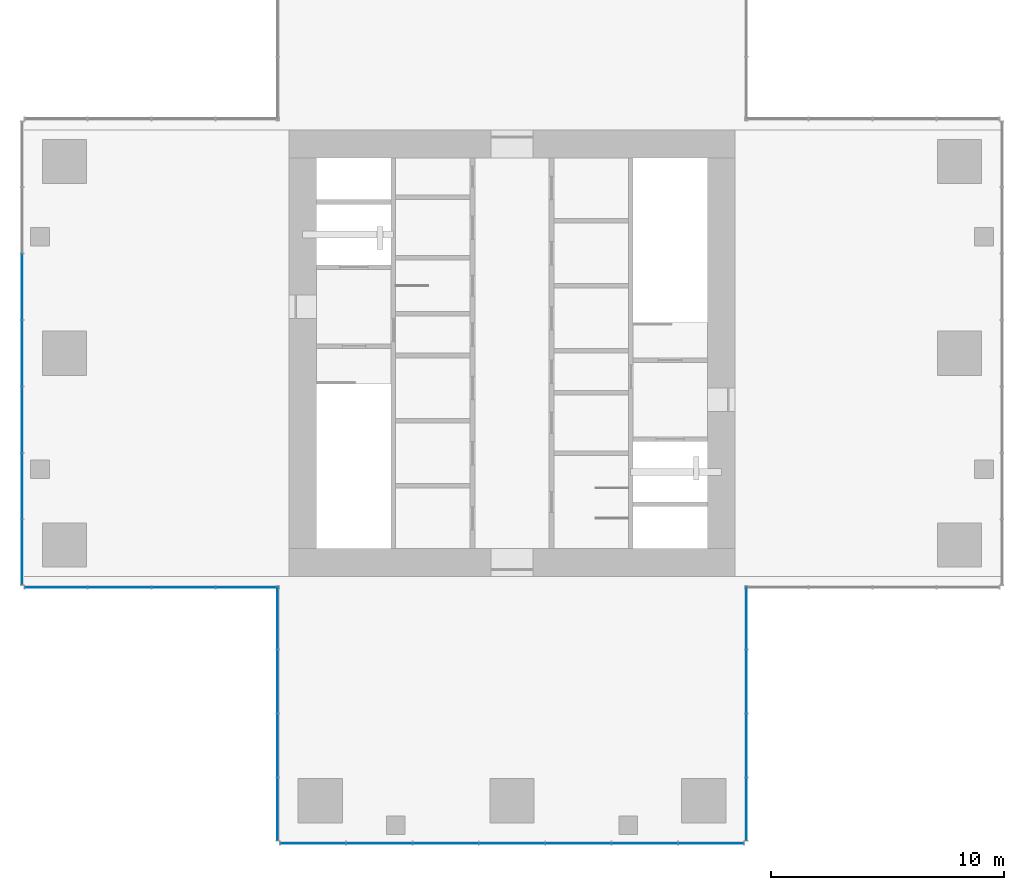
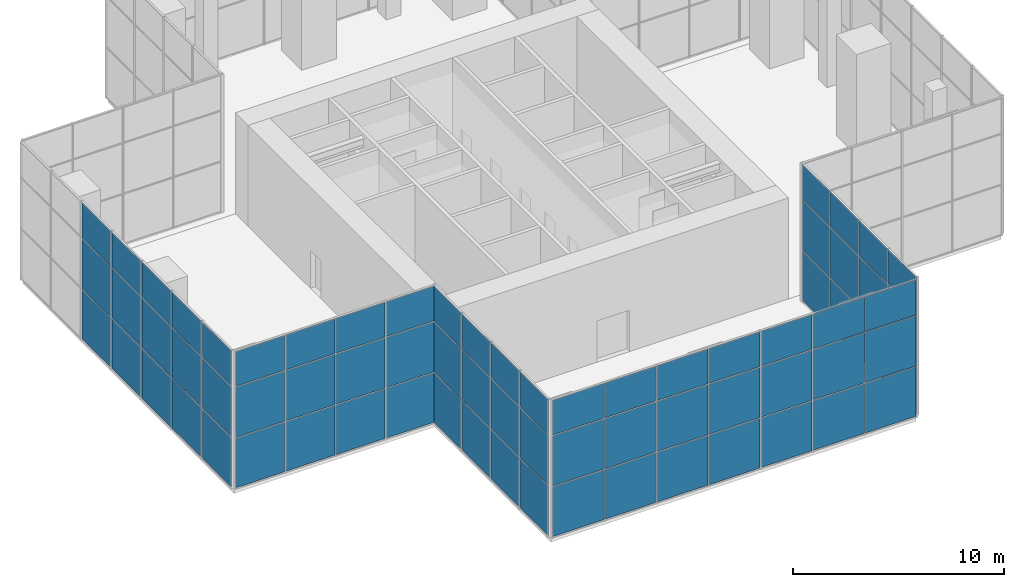
# One storey, part 8 of 12: 72 plates, 5 elements without a shape of their own.
"""IFC4 building model written with IfcOpenShell, lengths in metres."""

from ifc_helpers import new_model, si_unit, direction, frame, origin, origin_2d, place, context, subcontext, project, spatial, rectangle, extrude, material, layer, layer_set, type_object, element, aggregate, save


model = new_model("IFC4")

# Units and contexts
model_context = context("Model", 3, precision=1e-05, world=origin(), true_north=direction((0.0, 1.0)))
body_context = subcontext(model_context, "Body", "Model", "MODEL_VIEW")
ifc_project = project(units=[si_unit("LENGTHUNIT", "METRE"), si_unit("AREAUNIT", "SQUARE_METRE"), si_unit("VOLUMEUNIT", "CUBIC_METRE"), si_unit("PLANEANGLEUNIT", "RADIAN"), si_unit("MASSUNIT", "GRAM", prefix="KILO")], contexts=[model_context])

# Site, building, storey
site_placement = place(None, origin())
site = spatial("IfcSite", under=ifc_project, at=site_placement, CompositionType="ELEMENT")
building_placement = place(site_placement, origin())
building = spatial("IfcBuilding", under=site, at=building_placement, Name="Svetlomir Tower", CompositionType="ELEMENT")
storey_placement = place(building_placement, frame((0.0, 0.0, 283.89990234375)))
storey = spatial("IfcBuildingStorey", under=building, at=storey_placement, Name="L67", CompositionType="ELEMENT", Elevation=283.89990234375)

# Curtain wall, plates
ifc_material_1 = material(Name="Bronze anodised aluminium curtain wall", Category="aluminium")
curtain_wall_type = type_object("IfcCurtainWallType", Name="CURTAIN WALL CW6 LANTERN", PredefinedType="NOTDEFINED", material=ifc_material_1)
curtain_wall_1_placement = place(storey_placement, origin())
curtain_wall_1 = element("IfcCurtainWall", 1, at=curtain_wall_1_placement, inside=storey, type_object=curtain_wall_type, Name="Curtain wall CW6 L67", PredefinedType="NOTDEFINED")
ifc_material_2 = material(Name="Tinted double glazed unit", Category="glass")
ifc_layer = layer(ifc_material_2, 0.028076171875)
ifc_layer_set = layer_set([ifc_layer], Name="Tinted double glazed unit")
plate_type = type_object("IfcPlateType", Name="CW6 GLAZED PANEL 28", PredefinedType="CURTAIN_PANEL", material=ifc_layer_set)
plate_1_placement = place(storey_placement, frame((12.443603515625, -0.080078125, 0.06005859375), z_axis=(0.0, 0.0, 1.0), x_axis=(1.0, 0.0, 0.0)))
plate_1 = element("IfcPlate", 2, at=plate_1_placement, type_object=plate_type, Name="CW6 panel 1.1", PredefinedType="CURTAIN_PANEL", context=body_context, shape_type="SweptSolid", body=[
    extrude(rectangle(XDim=2.76708984375, YDim=0.028076171875, at=origin_2d()), origin(), (0.0, 0.0, 1.0), 2.860107421875),
])
plate_2_placement = place(storey_placement, frame((12.443603515625, -0.080078125, 2.97998046875), z_axis=(0.0, 0.0, 1.0), x_axis=(1.0, 0.0, 0.0)))
plate_2 = element("IfcPlate", 3, at=plate_2_placement, type_object=plate_type, Name="CW6 panel 1.2", PredefinedType="CURTAIN_PANEL", context=body_context, shape_type="SweptSolid", body=[
    extrude(rectangle(XDim=2.76708984375, YDim=0.028076171875, at=origin_2d()), origin(), (0.0, 0.0, 1.0), 2.889892578125),
])
plate_3_placement = place(storey_placement, frame((12.443603515625, -0.080078125, 5.93017578125), z_axis=(0.0, 0.0, 1.0), x_axis=(1.0, 0.0, 0.0)))
plate_3 = element("IfcPlate", 4, at=plate_3_placement, type_object=plate_type, Name="CW6 panel 1.3", PredefinedType="CURTAIN_PANEL", context=body_context, shape_type="SweptSolid", body=[
    extrude(rectangle(XDim=2.76708984375, YDim=0.028076171875, at=origin_2d()), origin(), (0.0, 0.0, 1.0), 2.010009765625),
])
plate_4_placement = place(storey_placement, frame((15.28564453125, -0.080078125, 0.06005859375), z_axis=(0.0, 0.0, 1.0), x_axis=(1.0, 0.0, 0.0)))
plate_4 = element("IfcPlate", 5, at=plate_4_placement, type_object=plate_type, Name="CW6 panel 2.1", PredefinedType="CURTAIN_PANEL", context=body_context, shape_type="SweptSolid", body=[
    extrude(rectangle(XDim=2.797119140625, YDim=0.028076171875, at=origin_2d()), origin(), (0.0, 0.0, 1.0), 2.860107421875),
])
plate_5_placement = place(storey_placement, frame((15.28564453125, -0.080078125, 2.97998046875), z_axis=(0.0, 0.0, 1.0), x_axis=(1.0, 0.0, 0.0)))
plate_5 = element("IfcPlate", 6, at=plate_5_placement, type_object=plate_type, Name="CW6 panel 2.2", PredefinedType="CURTAIN_PANEL", context=body_context, shape_type="SweptSolid", body=[
    extrude(rectangle(XDim=2.797119140625, YDim=0.028076171875, at=origin_2d()), origin(), (0.0, 0.0, 1.0), 2.889892578125),
])
plate_6_placement = place(storey_placement, frame((15.28564453125, -0.080078125, 5.93017578125), z_axis=(0.0, 0.0, 1.0), x_axis=(1.0, 0.0, 0.0)))
plate_6 = element("IfcPlate", 7, at=plate_6_placement, type_object=plate_type, Name="CW6 panel 2.3", PredefinedType="CURTAIN_PANEL", context=body_context, shape_type="SweptSolid", body=[
    extrude(rectangle(XDim=2.797119140625, YDim=0.028076171875, at=origin_2d()), origin(), (0.0, 0.0, 1.0), 2.010009765625),
])
plate_7_placement = place(storey_placement, frame((18.142822265625, -0.080078125, 0.06005859375), z_axis=(0.0, 0.0, 1.0), x_axis=(1.0, 0.0, 0.0)))
plate_7 = element("IfcPlate", 8, at=plate_7_placement, type_object=plate_type, Name="CW6 panel 3.1", PredefinedType="CURTAIN_PANEL", context=body_context, shape_type="SweptSolid", body=[
    extrude(rectangle(XDim=2.797119140625, YDim=0.028076171875, at=origin_2d()), origin(), (0.0, 0.0, 1.0), 2.860107421875),
])
plate_8_placement = place(storey_placement, frame((18.142822265625, -0.080078125, 2.97998046875), z_axis=(0.0, 0.0, 1.0), x_axis=(1.0, 0.0, 0.0)))
plate_8 = element("IfcPlate", 9, at=plate_8_placement, type_object=plate_type, Name="CW6 panel 3.2", PredefinedType="CURTAIN_PANEL", context=body_context, shape_type="SweptSolid", body=[
    extrude(rectangle(XDim=2.797119140625, YDim=0.028076171875, at=origin_2d()), origin(), (0.0, 0.0, 1.0), 2.889892578125),
])
plate_9_placement = place(storey_placement, frame((18.142822265625, -0.080078125, 5.93017578125), z_axis=(0.0, 0.0, 1.0), x_axis=(1.0, 0.0, 0.0)))
plate_9 = element("IfcPlate", 10, at=plate_9_placement, type_object=plate_type, Name="CW6 panel 3.3", PredefinedType="CURTAIN_PANEL", context=body_context, shape_type="SweptSolid", body=[
    extrude(rectangle(XDim=2.797119140625, YDim=0.028076171875, at=origin_2d()), origin(), (0.0, 0.0, 1.0), 2.010009765625),
])
plate_10_placement = place(storey_placement, frame((21.0, -0.080078125, 0.06005859375), z_axis=(0.0, 0.0, 1.0), x_axis=(1.0, 0.0, 0.0)))
plate_10 = element("IfcPlate", 11, at=plate_10_placement, type_object=plate_type, Name="CW6 panel 4.1", PredefinedType="CURTAIN_PANEL", context=body_context, shape_type="SweptSolid", body=[
    extrude(rectangle(XDim=2.797119140625, YDim=0.028076171875, at=origin_2d()), origin(), (0.0, 0.0, 1.0), 2.860107421875),
])
plate_11_placement = place(storey_placement, frame((21.0, -0.080078125, 2.97998046875), z_axis=(0.0, 0.0, 1.0), x_axis=(1.0, 0.0, 0.0)))
plate_11 = element("IfcPlate", 12, at=plate_11_placement, type_object=plate_type, Name="CW6 panel 4.2", PredefinedType="CURTAIN_PANEL", context=body_context, shape_type="SweptSolid", body=[
    extrude(rectangle(XDim=2.797119140625, YDim=0.028076171875, at=origin_2d()), origin(), (0.0, 0.0, 1.0), 2.889892578125),
])
plate_12_placement = place(storey_placement, frame((21.0, -0.080078125, 5.93017578125), z_axis=(0.0, 0.0, 1.0), x_axis=(1.0, 0.0, 0.0)))
plate_12 = element("IfcPlate", 13, at=plate_12_placement, type_object=plate_type, Name="CW6 panel 4.3", PredefinedType="CURTAIN_PANEL", context=body_context, shape_type="SweptSolid", body=[
    extrude(rectangle(XDim=2.797119140625, YDim=0.028076171875, at=origin_2d()), origin(), (0.0, 0.0, 1.0), 2.010009765625),
])
plate_13_placement = place(storey_placement, frame((23.857177734375, -0.080078125, 0.06005859375), z_axis=(0.0, 0.0, 1.0), x_axis=(1.0, 0.0, 0.0)))
plate_13 = element("IfcPlate", 14, at=plate_13_placement, type_object=plate_type, Name="CW6 panel 5.1", PredefinedType="CURTAIN_PANEL", context=body_context, shape_type="SweptSolid", body=[
    extrude(rectangle(XDim=2.797119140625, YDim=0.028076171875, at=origin_2d()), origin(), (0.0, 0.0, 1.0), 2.860107421875),
])
plate_14_placement = place(storey_placement, frame((23.857177734375, -0.080078125, 2.97998046875), z_axis=(0.0, 0.0, 1.0), x_axis=(1.0, 0.0, 0.0)))
plate_14 = element("IfcPlate", 15, at=plate_14_placement, type_object=plate_type, Name="CW6 panel 5.2", PredefinedType="CURTAIN_PANEL", context=body_context, shape_type="SweptSolid", body=[
    extrude(rectangle(XDim=2.797119140625, YDim=0.028076171875, at=origin_2d()), origin(), (0.0, 0.0, 1.0), 2.889892578125),
])
plate_15_placement = place(storey_placement, frame((23.857177734375, -0.080078125, 5.93017578125), z_axis=(0.0, 0.0, 1.0), x_axis=(1.0, 0.0, 0.0)))
plate_15 = element("IfcPlate", 16, at=plate_15_placement, type_object=plate_type, Name="CW6 panel 5.3", PredefinedType="CURTAIN_PANEL", context=body_context, shape_type="SweptSolid", body=[
    extrude(rectangle(XDim=2.797119140625, YDim=0.028076171875, at=origin_2d()), origin(), (0.0, 0.0, 1.0), 2.010009765625),
])
plate_16_placement = place(storey_placement, frame((26.71435546875, -0.080078125, 0.06005859375), z_axis=(0.0, 0.0, 1.0), x_axis=(1.0, 0.0, 0.0)))
plate_16 = element("IfcPlate", 17, at=plate_16_placement, type_object=plate_type, Name="CW6 panel 6.1", PredefinedType="CURTAIN_PANEL", context=body_context, shape_type="SweptSolid", body=[
    extrude(rectangle(XDim=2.797119140625, YDim=0.028076171875, at=origin_2d()), origin(), (0.0, 0.0, 1.0), 2.860107421875),
])
plate_17_placement = place(storey_placement, frame((26.71435546875, -0.080078125, 2.97998046875), z_axis=(0.0, 0.0, 1.0), x_axis=(1.0, 0.0, 0.0)))
plate_17 = element("IfcPlate", 18, at=plate_17_placement, type_object=plate_type, Name="CW6 panel 6.2", PredefinedType="CURTAIN_PANEL", context=body_context, shape_type="SweptSolid", body=[
    extrude(rectangle(XDim=2.797119140625, YDim=0.028076171875, at=origin_2d()), origin(), (0.0, 0.0, 1.0), 2.889892578125),
])
plate_18_placement = place(storey_placement, frame((26.71435546875, -0.080078125, 5.93017578125), z_axis=(0.0, 0.0, 1.0), x_axis=(1.0, 0.0, 0.0)))
plate_18 = element("IfcPlate", 19, at=plate_18_placement, type_object=plate_type, Name="CW6 panel 6.3", PredefinedType="CURTAIN_PANEL", context=body_context, shape_type="SweptSolid", body=[
    extrude(rectangle(XDim=2.797119140625, YDim=0.028076171875, at=origin_2d()), origin(), (0.0, 0.0, 1.0), 2.010009765625),
])
plate_19_placement = place(storey_placement, frame((29.556396484375, -0.080078125, 0.06005859375), z_axis=(0.0, 0.0, 1.0), x_axis=(1.0, 0.0, 0.0)))
plate_19 = element("IfcPlate", 20, at=plate_19_placement, type_object=plate_type, Name="CW6 panel 7.1", PredefinedType="CURTAIN_PANEL", context=body_context, shape_type="SweptSolid", body=[
    extrude(rectangle(XDim=2.76708984375, YDim=0.028076171875, at=origin_2d()), origin(), (0.0, 0.0, 1.0), 2.860107421875),
])
plate_20_placement = place(storey_placement, frame((29.556396484375, -0.080078125, 2.97998046875), z_axis=(0.0, 0.0, 1.0), x_axis=(1.0, 0.0, 0.0)))
plate_20 = element("IfcPlate", 21, at=plate_20_placement, type_object=plate_type, Name="CW6 panel 7.2", PredefinedType="CURTAIN_PANEL", context=body_context, shape_type="SweptSolid", body=[
    extrude(rectangle(XDim=2.76708984375, YDim=0.028076171875, at=origin_2d()), origin(), (0.0, 0.0, 1.0), 2.889892578125),
])
plate_21_placement = place(storey_placement, frame((29.556396484375, -0.080078125, 5.93017578125), z_axis=(0.0, 0.0, 1.0), x_axis=(1.0, 0.0, 0.0)))
plate_21 = element("IfcPlate", 22, at=plate_21_placement, type_object=plate_type, Name="CW6 panel 7.3", PredefinedType="CURTAIN_PANEL", context=body_context, shape_type="SweptSolid", body=[
    extrude(rectangle(XDim=2.76708984375, YDim=0.028076171875, at=origin_2d()), origin(), (0.0, 0.0, 1.0), 2.010009765625),
])
aggregate(curtain_wall_1, [plate_1, plate_2, plate_3, plate_4, plate_5, plate_6, plate_7, plate_8, plate_9, plate_10, plate_11, plate_12, plate_13, plate_14, plate_15, plate_16, plate_17, plate_18, plate_19, plate_20, plate_21])

curtain_wall_2_placement = place(storey_placement, origin())
curtain_wall_2 = element("IfcCurtainWall", 23, at=curtain_wall_2_placement, inside=storey, type_object=curtain_wall_type, Name="Curtain wall CW6 L67", PredefinedType="NOTDEFINED")
plate_22_placement = place(storey_placement, frame((31.080078125, 1.389892578125, 0.06005859375), z_axis=(0.0, 0.0, 1.0), x_axis=(0.0, 1.0, 0.0)))
plate_22 = element("IfcPlate", 24, at=plate_22_placement, type_object=plate_type, Name="CW6 panel 1.1", PredefinedType="CURTAIN_PANEL", context=body_context, shape_type="SweptSolid", body=[
    extrude(rectangle(XDim=2.659912109375, YDim=0.028076171875, at=origin_2d()), origin(), (0.0, 0.0, 1.0), 2.860107421875),
])
plate_23_placement = place(storey_placement, frame((31.080078125, 1.389892578125, 2.97998046875), z_axis=(0.0, 0.0, 1.0), x_axis=(0.0, 1.0, 0.0)))
plate_23 = element("IfcPlate", 25, at=plate_23_placement, type_object=plate_type, Name="CW6 panel 1.2", PredefinedType="CURTAIN_PANEL", context=body_context, shape_type="SweptSolid", body=[
    extrude(rectangle(XDim=2.659912109375, YDim=0.028076171875, at=origin_2d()), origin(), (0.0, 0.0, 1.0), 2.889892578125),
])
plate_24_placement = place(storey_placement, frame((31.080078125, 1.389892578125, 5.93017578125), z_axis=(0.0, 0.0, 1.0), x_axis=(0.0, 1.0, 0.0)))
plate_24 = element("IfcPlate", 26, at=plate_24_placement, type_object=plate_type, Name="CW6 panel 1.3", PredefinedType="CURTAIN_PANEL", context=body_context, shape_type="SweptSolid", body=[
    extrude(rectangle(XDim=2.659912109375, YDim=0.028076171875, at=origin_2d()), origin(), (0.0, 0.0, 1.0), 2.010009765625),
])
plate_25_placement = place(storey_placement, frame((31.080078125, 4.125, 0.06005859375), z_axis=(0.0, 0.0, 1.0), x_axis=(0.0, 1.0, 0.0)))
plate_25 = element("IfcPlate", 27, at=plate_25_placement, type_object=plate_type, Name="CW6 panel 2.1", PredefinedType="CURTAIN_PANEL", context=body_context, shape_type="SweptSolid", body=[
    extrude(rectangle(XDim=2.68994140625, YDim=0.028076171875, at=origin_2d()), origin(), (0.0, 0.0, 1.0), 2.860107421875),
])
plate_26_placement = place(storey_placement, frame((31.080078125, 4.125, 2.97998046875), z_axis=(0.0, 0.0, 1.0), x_axis=(0.0, 1.0, 0.0)))
plate_26 = element("IfcPlate", 28, at=plate_26_placement, type_object=plate_type, Name="CW6 panel 2.2", PredefinedType="CURTAIN_PANEL", context=body_context, shape_type="SweptSolid", body=[
    extrude(rectangle(XDim=2.68994140625, YDim=0.028076171875, at=origin_2d()), origin(), (0.0, 0.0, 1.0), 2.889892578125),
])
plate_27_placement = place(storey_placement, frame((31.080078125, 4.125, 5.93017578125), z_axis=(0.0, 0.0, 1.0), x_axis=(0.0, 1.0, 0.0)))
plate_27 = element("IfcPlate", 29, at=plate_27_placement, type_object=plate_type, Name="CW6 panel 2.3", PredefinedType="CURTAIN_PANEL", context=body_context, shape_type="SweptSolid", body=[
    extrude(rectangle(XDim=2.68994140625, YDim=0.028076171875, at=origin_2d()), origin(), (0.0, 0.0, 1.0), 2.010009765625),
])
plate_28_placement = place(storey_placement, frame((31.080078125, 6.875, 0.06005859375), z_axis=(0.0, 0.0, 1.0), x_axis=(0.0, 1.0, 0.0)))
plate_28 = element("IfcPlate", 30, at=plate_28_placement, type_object=plate_type, Name="CW6 panel 3.1", PredefinedType="CURTAIN_PANEL", context=body_context, shape_type="SweptSolid", body=[
    extrude(rectangle(XDim=2.68994140625, YDim=0.028076171875, at=origin_2d()), origin(), (0.0, 0.0, 1.0), 2.860107421875),
])
plate_29_placement = place(storey_placement, frame((31.080078125, 6.875, 2.97998046875), z_axis=(0.0, 0.0, 1.0), x_axis=(0.0, 1.0, 0.0)))
plate_29 = element("IfcPlate", 31, at=plate_29_placement, type_object=plate_type, Name="CW6 panel 3.2", PredefinedType="CURTAIN_PANEL", context=body_context, shape_type="SweptSolid", body=[
    extrude(rectangle(XDim=2.68994140625, YDim=0.028076171875, at=origin_2d()), origin(), (0.0, 0.0, 1.0), 2.889892578125),
])
plate_30_placement = place(storey_placement, frame((31.080078125, 6.875, 5.93017578125), z_axis=(0.0, 0.0, 1.0), x_axis=(0.0, 1.0, 0.0)))
plate_30 = element("IfcPlate", 32, at=plate_30_placement, type_object=plate_type, Name="CW6 panel 3.3", PredefinedType="CURTAIN_PANEL", context=body_context, shape_type="SweptSolid", body=[
    extrude(rectangle(XDim=2.68994140625, YDim=0.028076171875, at=origin_2d()), origin(), (0.0, 0.0, 1.0), 2.010009765625),
])
plate_31_placement = place(storey_placement, frame((31.080078125, 9.610107421875, 0.06005859375), z_axis=(0.0, 0.0, 1.0), x_axis=(0.0, 1.0, 0.0)))
plate_31 = element("IfcPlate", 33, at=plate_31_placement, type_object=plate_type, Name="CW6 panel 4.1", PredefinedType="CURTAIN_PANEL", context=body_context, shape_type="SweptSolid", body=[
    extrude(rectangle(XDim=2.659912109375, YDim=0.028076171875, at=origin_2d()), origin(), (0.0, 0.0, 1.0), 2.860107421875),
])
plate_32_placement = place(storey_placement, frame((31.080078125, 9.610107421875, 2.97998046875), z_axis=(0.0, 0.0, 1.0), x_axis=(0.0, 1.0, 0.0)))
plate_32 = element("IfcPlate", 34, at=plate_32_placement, type_object=plate_type, Name="CW6 panel 4.2", PredefinedType="CURTAIN_PANEL", context=body_context, shape_type="SweptSolid", body=[
    extrude(rectangle(XDim=2.659912109375, YDim=0.028076171875, at=origin_2d()), origin(), (0.0, 0.0, 1.0), 2.889892578125),
])
plate_33_placement = place(storey_placement, frame((31.080078125, 9.610107421875, 5.93017578125), z_axis=(0.0, 0.0, 1.0), x_axis=(0.0, 1.0, 0.0)))
plate_33 = element("IfcPlate", 35, at=plate_33_placement, type_object=plate_type, Name="CW6 panel 4.3", PredefinedType="CURTAIN_PANEL", context=body_context, shape_type="SweptSolid", body=[
    extrude(rectangle(XDim=2.659912109375, YDim=0.028076171875, at=origin_2d()), origin(), (0.0, 0.0, 1.0), 2.010009765625),
])
aggregate(curtain_wall_2, [plate_22, plate_23, plate_24, plate_25, plate_26, plate_27, plate_28, plate_29, plate_30, plate_31, plate_32, plate_33])

curtain_wall_3_placement = place(storey_placement, origin())
curtain_wall_3 = element("IfcCurtainWall", 36, at=curtain_wall_3_placement, inside=storey, type_object=curtain_wall_type, Name="Curtain wall CW6 L67", PredefinedType="NOTDEFINED")
plate_34_placement = place(storey_placement, frame((-0.080078125, 23.857177734375, 0.06005859375), z_axis=(0.0, 0.0, 1.0), x_axis=(0.0, -1.0, 0.0)))
plate_34 = element("IfcPlate", 37, at=plate_34_placement, type_object=plate_type, Name="CW6 panel 3.1", PredefinedType="CURTAIN_PANEL", context=body_context, shape_type="SweptSolid", body=[
    extrude(rectangle(XDim=2.797119140625, YDim=0.028076171875, at=origin_2d()), origin(), (0.0, 0.0, 1.0), 2.860107421875),
])
plate_35_placement = place(storey_placement, frame((-0.080078125, 23.857177734375, 2.97998046875), z_axis=(0.0, 0.0, 1.0), x_axis=(0.0, -1.0, 0.0)))
plate_35 = element("IfcPlate", 38, at=plate_35_placement, type_object=plate_type, Name="CW6 panel 3.2", PredefinedType="CURTAIN_PANEL", context=body_context, shape_type="SweptSolid", body=[
    extrude(rectangle(XDim=2.797119140625, YDim=0.028076171875, at=origin_2d()), origin(), (0.0, 0.0, 1.0), 2.889892578125),
])
plate_36_placement = place(storey_placement, frame((-0.080078125, 23.857177734375, 5.93017578125), z_axis=(0.0, 0.0, 1.0), x_axis=(0.0, -1.0, 0.0)))
plate_36 = element("IfcPlate", 39, at=plate_36_placement, type_object=plate_type, Name="CW6 panel 3.3", PredefinedType="CURTAIN_PANEL", context=body_context, shape_type="SweptSolid", body=[
    extrude(rectangle(XDim=2.797119140625, YDim=0.028076171875, at=origin_2d()), origin(), (0.0, 0.0, 1.0), 2.010009765625),
])
plate_37_placement = place(storey_placement, frame((-0.080078125, 21.0, 0.06005859375), z_axis=(0.0, 0.0, 1.0), x_axis=(0.0, -1.0, 0.0)))
plate_37 = element("IfcPlate", 40, at=plate_37_placement, type_object=plate_type, Name="CW6 panel 4.1", PredefinedType="CURTAIN_PANEL", context=body_context, shape_type="SweptSolid", body=[
    extrude(rectangle(XDim=2.797119140625, YDim=0.028076171875, at=origin_2d()), origin(), (0.0, 0.0, 1.0), 2.860107421875),
])
plate_38_placement = place(storey_placement, frame((-0.080078125, 21.0, 2.97998046875), z_axis=(0.0, 0.0, 1.0), x_axis=(0.0, -1.0, 0.0)))
plate_38 = element("IfcPlate", 41, at=plate_38_placement, type_object=plate_type, Name="CW6 panel 4.2", PredefinedType="CURTAIN_PANEL", context=body_context, shape_type="SweptSolid", body=[
    extrude(rectangle(XDim=2.797119140625, YDim=0.028076171875, at=origin_2d()), origin(), (0.0, 0.0, 1.0), 2.889892578125),
])
plate_39_placement = place(storey_placement, frame((-0.080078125, 21.0, 5.93017578125), z_axis=(0.0, 0.0, 1.0), x_axis=(0.0, -1.0, 0.0)))
plate_39 = element("IfcPlate", 42, at=plate_39_placement, type_object=plate_type, Name="CW6 panel 4.3", PredefinedType="CURTAIN_PANEL", context=body_context, shape_type="SweptSolid", body=[
    extrude(rectangle(XDim=2.797119140625, YDim=0.028076171875, at=origin_2d()), origin(), (0.0, 0.0, 1.0), 2.010009765625),
])
plate_40_placement = place(storey_placement, frame((-0.080078125, 18.142822265625, 0.06005859375), z_axis=(0.0, 0.0, 1.0), x_axis=(0.0, -1.0, 0.0)))
plate_40 = element("IfcPlate", 43, at=plate_40_placement, type_object=plate_type, Name="CW6 panel 5.1", PredefinedType="CURTAIN_PANEL", context=body_context, shape_type="SweptSolid", body=[
    extrude(rectangle(XDim=2.797119140625, YDim=0.028076171875, at=origin_2d()), origin(), (0.0, 0.0, 1.0), 2.860107421875),
])
plate_41_placement = place(storey_placement, frame((-0.080078125, 18.142822265625, 2.97998046875), z_axis=(0.0, 0.0, 1.0), x_axis=(0.0, -1.0, 0.0)))
plate_41 = element("IfcPlate", 44, at=plate_41_placement, type_object=plate_type, Name="CW6 panel 5.2", PredefinedType="CURTAIN_PANEL", context=body_context, shape_type="SweptSolid", body=[
    extrude(rectangle(XDim=2.797119140625, YDim=0.028076171875, at=origin_2d()), origin(), (0.0, 0.0, 1.0), 2.889892578125),
])
plate_42_placement = place(storey_placement, frame((-0.080078125, 18.142822265625, 5.93017578125), z_axis=(0.0, 0.0, 1.0), x_axis=(0.0, -1.0, 0.0)))
plate_42 = element("IfcPlate", 45, at=plate_42_placement, type_object=plate_type, Name="CW6 panel 5.3", PredefinedType="CURTAIN_PANEL", context=body_context, shape_type="SweptSolid", body=[
    extrude(rectangle(XDim=2.797119140625, YDim=0.028076171875, at=origin_2d()), origin(), (0.0, 0.0, 1.0), 2.010009765625),
])
plate_43_placement = place(storey_placement, frame((-0.080078125, 15.28564453125, 0.06005859375), z_axis=(0.0, 0.0, 1.0), x_axis=(0.0, -1.0, 0.0)))
plate_43 = element("IfcPlate", 46, at=plate_43_placement, type_object=plate_type, Name="CW6 panel 6.1", PredefinedType="CURTAIN_PANEL", context=body_context, shape_type="SweptSolid", body=[
    extrude(rectangle(XDim=2.797119140625, YDim=0.028076171875, at=origin_2d()), origin(), (0.0, 0.0, 1.0), 2.860107421875),
])
plate_44_placement = place(storey_placement, frame((-0.080078125, 15.28564453125, 2.97998046875), z_axis=(0.0, 0.0, 1.0), x_axis=(0.0, -1.0, 0.0)))
plate_44 = element("IfcPlate", 47, at=plate_44_placement, type_object=plate_type, Name="CW6 panel 6.2", PredefinedType="CURTAIN_PANEL", context=body_context, shape_type="SweptSolid", body=[
    extrude(rectangle(XDim=2.797119140625, YDim=0.028076171875, at=origin_2d()), origin(), (0.0, 0.0, 1.0), 2.889892578125),
])
plate_45_placement = place(storey_placement, frame((-0.080078125, 15.28564453125, 5.93017578125), z_axis=(0.0, 0.0, 1.0), x_axis=(0.0, -1.0, 0.0)))
plate_45 = element("IfcPlate", 48, at=plate_45_placement, type_object=plate_type, Name="CW6 panel 6.3", PredefinedType="CURTAIN_PANEL", context=body_context, shape_type="SweptSolid", body=[
    extrude(rectangle(XDim=2.797119140625, YDim=0.028076171875, at=origin_2d()), origin(), (0.0, 0.0, 1.0), 2.010009765625),
])
plate_46_placement = place(storey_placement, frame((-0.080078125, 12.443603515625, 0.06005859375), z_axis=(0.0, 0.0, 1.0), x_axis=(0.0, -1.0, 0.0)))
plate_46 = element("IfcPlate", 49, at=plate_46_placement, type_object=plate_type, Name="CW6 panel 7.1", PredefinedType="CURTAIN_PANEL", context=body_context, shape_type="SweptSolid", body=[
    extrude(rectangle(XDim=2.76708984375, YDim=0.028076171875, at=origin_2d()), origin(), (0.0, 0.0, 1.0), 2.860107421875),
])
plate_47_placement = place(storey_placement, frame((-0.080078125, 12.443603515625, 2.97998046875), z_axis=(0.0, 0.0, 1.0), x_axis=(0.0, -1.0, 0.0)))
plate_47 = element("IfcPlate", 50, at=plate_47_placement, type_object=plate_type, Name="CW6 panel 7.2", PredefinedType="CURTAIN_PANEL", context=body_context, shape_type="SweptSolid", body=[
    extrude(rectangle(XDim=2.76708984375, YDim=0.028076171875, at=origin_2d()), origin(), (0.0, 0.0, 1.0), 2.889892578125),
])
plate_48_placement = place(storey_placement, frame((-0.080078125, 12.443603515625, 5.93017578125), z_axis=(0.0, 0.0, 1.0), x_axis=(0.0, -1.0, 0.0)))
plate_48 = element("IfcPlate", 51, at=plate_48_placement, type_object=plate_type, Name="CW6 panel 7.3", PredefinedType="CURTAIN_PANEL", context=body_context, shape_type="SweptSolid", body=[
    extrude(rectangle(XDim=2.76708984375, YDim=0.028076171875, at=origin_2d()), origin(), (0.0, 0.0, 1.0), 2.010009765625),
])
aggregate(curtain_wall_3, [plate_34, plate_35, plate_36, plate_37, plate_38, plate_39, plate_40, plate_41, plate_42, plate_43, plate_44, plate_45, plate_46, plate_47, plate_48])

curtain_wall_4_placement = place(storey_placement, origin())
curtain_wall_4 = element("IfcCurtainWall", 52, at=curtain_wall_4_placement, inside=storey, type_object=curtain_wall_type, Name="Curtain wall CW6 L67", PredefinedType="NOTDEFINED")
plate_49_placement = place(storey_placement, frame((1.389892578125, 10.919921875, 0.06005859375), z_axis=(0.0, 0.0, 1.0), x_axis=(1.0, 0.0, 0.0)))
plate_49 = element("IfcPlate", 53, at=plate_49_placement, type_object=plate_type, Name="CW6 panel 1.1", PredefinedType="CURTAIN_PANEL", context=body_context, shape_type="SweptSolid", body=[
    extrude(rectangle(XDim=2.659912109375, YDim=0.028076171875, at=origin_2d()), origin(), (0.0, 0.0, 1.0), 2.860107421875),
])
plate_50_placement = place(storey_placement, frame((1.389892578125, 10.919921875, 2.97998046875), z_axis=(0.0, 0.0, 1.0), x_axis=(1.0, 0.0, 0.0)))
plate_50 = element("IfcPlate", 54, at=plate_50_placement, type_object=plate_type, Name="CW6 panel 1.2", PredefinedType="CURTAIN_PANEL", context=body_context, shape_type="SweptSolid", body=[
    extrude(rectangle(XDim=2.659912109375, YDim=0.028076171875, at=origin_2d()), origin(), (0.0, 0.0, 1.0), 2.889892578125),
])
plate_51_placement = place(storey_placement, frame((1.389892578125, 10.919921875, 5.93017578125), z_axis=(0.0, 0.0, 1.0), x_axis=(1.0, 0.0, 0.0)))
plate_51 = element("IfcPlate", 55, at=plate_51_placement, type_object=plate_type, Name="CW6 panel 1.3", PredefinedType="CURTAIN_PANEL", context=body_context, shape_type="SweptSolid", body=[
    extrude(rectangle(XDim=2.659912109375, YDim=0.028076171875, at=origin_2d()), origin(), (0.0, 0.0, 1.0), 2.010009765625),
])
plate_52_placement = place(storey_placement, frame((4.125, 10.919921875, 0.06005859375), z_axis=(0.0, 0.0, 1.0), x_axis=(1.0, 0.0, 0.0)))
plate_52 = element("IfcPlate", 56, at=plate_52_placement, type_object=plate_type, Name="CW6 panel 2.1", PredefinedType="CURTAIN_PANEL", context=body_context, shape_type="SweptSolid", body=[
    extrude(rectangle(XDim=2.68994140625, YDim=0.028076171875, at=origin_2d()), origin(), (0.0, 0.0, 1.0), 2.860107421875),
])
plate_53_placement = place(storey_placement, frame((4.125, 10.919921875, 2.97998046875), z_axis=(0.0, 0.0, 1.0), x_axis=(1.0, 0.0, 0.0)))
plate_53 = element("IfcPlate", 57, at=plate_53_placement, type_object=plate_type, Name="CW6 panel 2.2", PredefinedType="CURTAIN_PANEL", context=body_context, shape_type="SweptSolid", body=[
    extrude(rectangle(XDim=2.68994140625, YDim=0.028076171875, at=origin_2d()), origin(), (0.0, 0.0, 1.0), 2.889892578125),
])
plate_54_placement = place(storey_placement, frame((4.125, 10.919921875, 5.93017578125), z_axis=(0.0, 0.0, 1.0), x_axis=(1.0, 0.0, 0.0)))
plate_54 = element("IfcPlate", 58, at=plate_54_placement, type_object=plate_type, Name="CW6 panel 2.3", PredefinedType="CURTAIN_PANEL", context=body_context, shape_type="SweptSolid", body=[
    extrude(rectangle(XDim=2.68994140625, YDim=0.028076171875, at=origin_2d()), origin(), (0.0, 0.0, 1.0), 2.010009765625),
])
plate_55_placement = place(storey_placement, frame((6.875, 10.919921875, 0.06005859375), z_axis=(0.0, 0.0, 1.0), x_axis=(1.0, 0.0, 0.0)))
plate_55 = element("IfcPlate", 59, at=plate_55_placement, type_object=plate_type, Name="CW6 panel 3.1", PredefinedType="CURTAIN_PANEL", context=body_context, shape_type="SweptSolid", body=[
    extrude(rectangle(XDim=2.68994140625, YDim=0.028076171875, at=origin_2d()), origin(), (0.0, 0.0, 1.0), 2.860107421875),
])
plate_56_placement = place(storey_placement, frame((6.875, 10.919921875, 2.97998046875), z_axis=(0.0, 0.0, 1.0), x_axis=(1.0, 0.0, 0.0)))
plate_56 = element("IfcPlate", 60, at=plate_56_placement, type_object=plate_type, Name="CW6 panel 3.2", PredefinedType="CURTAIN_PANEL", context=body_context, shape_type="SweptSolid", body=[
    extrude(rectangle(XDim=2.68994140625, YDim=0.028076171875, at=origin_2d()), origin(), (0.0, 0.0, 1.0), 2.889892578125),
])
plate_57_placement = place(storey_placement, frame((6.875, 10.919921875, 5.93017578125), z_axis=(0.0, 0.0, 1.0), x_axis=(1.0, 0.0, 0.0)))
plate_57 = element("IfcPlate", 61, at=plate_57_placement, type_object=plate_type, Name="CW6 panel 3.3", PredefinedType="CURTAIN_PANEL", context=body_context, shape_type="SweptSolid", body=[
    extrude(rectangle(XDim=2.68994140625, YDim=0.028076171875, at=origin_2d()), origin(), (0.0, 0.0, 1.0), 2.010009765625),
])
plate_58_placement = place(storey_placement, frame((9.610107421875, 10.919921875, 0.06005859375), z_axis=(0.0, 0.0, 1.0), x_axis=(1.0, 0.0, 0.0)))
plate_58 = element("IfcPlate", 62, at=plate_58_placement, type_object=plate_type, Name="CW6 panel 4.1", PredefinedType="CURTAIN_PANEL", context=body_context, shape_type="SweptSolid", body=[
    extrude(rectangle(XDim=2.659912109375, YDim=0.028076171875, at=origin_2d()), origin(), (0.0, 0.0, 1.0), 2.860107421875),
])
plate_59_placement = place(storey_placement, frame((9.610107421875, 10.919921875, 2.97998046875), z_axis=(0.0, 0.0, 1.0), x_axis=(1.0, 0.0, 0.0)))
plate_59 = element("IfcPlate", 63, at=plate_59_placement, type_object=plate_type, Name="CW6 panel 4.2", PredefinedType="CURTAIN_PANEL", context=body_context, shape_type="SweptSolid", body=[
    extrude(rectangle(XDim=2.659912109375, YDim=0.028076171875, at=origin_2d()), origin(), (0.0, 0.0, 1.0), 2.889892578125),
])
plate_60_placement = place(storey_placement, frame((9.610107421875, 10.919921875, 5.93017578125), z_axis=(0.0, 0.0, 1.0), x_axis=(1.0, 0.0, 0.0)))
plate_60 = element("IfcPlate", 64, at=plate_60_placement, type_object=plate_type, Name="CW6 panel 4.3", PredefinedType="CURTAIN_PANEL", context=body_context, shape_type="SweptSolid", body=[
    extrude(rectangle(XDim=2.659912109375, YDim=0.028076171875, at=origin_2d()), origin(), (0.0, 0.0, 1.0), 2.010009765625),
])
aggregate(curtain_wall_4, [plate_49, plate_50, plate_51, plate_52, plate_53, plate_54, plate_55, plate_56, plate_57, plate_58, plate_59, plate_60])

curtain_wall_5_placement = place(storey_placement, origin())
curtain_wall_5 = element("IfcCurtainWall", 65, at=curtain_wall_5_placement, inside=storey, type_object=curtain_wall_type, Name="Curtain wall CW6 L67", PredefinedType="NOTDEFINED")
plate_61_placement = place(storey_placement, frame((10.919921875, 9.610107421875, 0.06005859375), z_axis=(0.0, 0.0, 1.0), x_axis=(0.0, -1.0, 0.0)))
plate_61 = element("IfcPlate", 66, at=plate_61_placement, type_object=plate_type, Name="CW6 panel 1.1", PredefinedType="CURTAIN_PANEL", context=body_context, shape_type="SweptSolid", body=[
    extrude(rectangle(XDim=2.659912109375, YDim=0.028076171875, at=origin_2d()), origin(), (0.0, 0.0, 1.0), 2.860107421875),
])
plate_62_placement = place(storey_placement, frame((10.919921875, 9.610107421875, 2.97998046875), z_axis=(0.0, 0.0, 1.0), x_axis=(0.0, -1.0, 0.0)))
plate_62 = element("IfcPlate", 67, at=plate_62_placement, type_object=plate_type, Name="CW6 panel 1.2", PredefinedType="CURTAIN_PANEL", context=body_context, shape_type="SweptSolid", body=[
    extrude(rectangle(XDim=2.659912109375, YDim=0.028076171875, at=origin_2d()), origin(), (0.0, 0.0, 1.0), 2.889892578125),
])
plate_63_placement = place(storey_placement, frame((10.919921875, 9.610107421875, 5.93017578125), z_axis=(0.0, 0.0, 1.0), x_axis=(0.0, -1.0, 0.0)))
plate_63 = element("IfcPlate", 68, at=plate_63_placement, type_object=plate_type, Name="CW6 panel 1.3", PredefinedType="CURTAIN_PANEL", context=body_context, shape_type="SweptSolid", body=[
    extrude(rectangle(XDim=2.659912109375, YDim=0.028076171875, at=origin_2d()), origin(), (0.0, 0.0, 1.0), 2.010009765625),
])
plate_64_placement = place(storey_placement, frame((10.919921875, 6.875, 0.06005859375), z_axis=(0.0, 0.0, 1.0), x_axis=(0.0, -1.0, 0.0)))
plate_64 = element("IfcPlate", 69, at=plate_64_placement, type_object=plate_type, Name="CW6 panel 2.1", PredefinedType="CURTAIN_PANEL", context=body_context, shape_type="SweptSolid", body=[
    extrude(rectangle(XDim=2.68994140625, YDim=0.028076171875, at=origin_2d()), origin(), (0.0, 0.0, 1.0), 2.860107421875),
])
plate_65_placement = place(storey_placement, frame((10.919921875, 6.875, 2.97998046875), z_axis=(0.0, 0.0, 1.0), x_axis=(0.0, -1.0, 0.0)))
plate_65 = element("IfcPlate", 70, at=plate_65_placement, type_object=plate_type, Name="CW6 panel 2.2", PredefinedType="CURTAIN_PANEL", context=body_context, shape_type="SweptSolid", body=[
    extrude(rectangle(XDim=2.68994140625, YDim=0.028076171875, at=origin_2d()), origin(), (0.0, 0.0, 1.0), 2.889892578125),
])
plate_66_placement = place(storey_placement, frame((10.919921875, 6.875, 5.93017578125), z_axis=(0.0, 0.0, 1.0), x_axis=(0.0, -1.0, 0.0)))
plate_66 = element("IfcPlate", 71, at=plate_66_placement, type_object=plate_type, Name="CW6 panel 2.3", PredefinedType="CURTAIN_PANEL", context=body_context, shape_type="SweptSolid", body=[
    extrude(rectangle(XDim=2.68994140625, YDim=0.028076171875, at=origin_2d()), origin(), (0.0, 0.0, 1.0), 2.010009765625),
])
plate_67_placement = place(storey_placement, frame((10.919921875, 4.125, 0.06005859375), z_axis=(0.0, 0.0, 1.0), x_axis=(0.0, -1.0, 0.0)))
plate_67 = element("IfcPlate", 72, at=plate_67_placement, type_object=plate_type, Name="CW6 panel 3.1", PredefinedType="CURTAIN_PANEL", context=body_context, shape_type="SweptSolid", body=[
    extrude(rectangle(XDim=2.68994140625, YDim=0.028076171875, at=origin_2d()), origin(), (0.0, 0.0, 1.0), 2.860107421875),
])
plate_68_placement = place(storey_placement, frame((10.919921875, 4.125, 2.97998046875), z_axis=(0.0, 0.0, 1.0), x_axis=(0.0, -1.0, 0.0)))
plate_68 = element("IfcPlate", 73, at=plate_68_placement, type_object=plate_type, Name="CW6 panel 3.2", PredefinedType="CURTAIN_PANEL", context=body_context, shape_type="SweptSolid", body=[
    extrude(rectangle(XDim=2.68994140625, YDim=0.028076171875, at=origin_2d()), origin(), (0.0, 0.0, 1.0), 2.889892578125),
])
plate_69_placement = place(storey_placement, frame((10.919921875, 4.125, 5.93017578125), z_axis=(0.0, 0.0, 1.0), x_axis=(0.0, -1.0, 0.0)))
plate_69 = element("IfcPlate", 74, at=plate_69_placement, type_object=plate_type, Name="CW6 panel 3.3", PredefinedType="CURTAIN_PANEL", context=body_context, shape_type="SweptSolid", body=[
    extrude(rectangle(XDim=2.68994140625, YDim=0.028076171875, at=origin_2d()), origin(), (0.0, 0.0, 1.0), 2.010009765625),
])
plate_70_placement = place(storey_placement, frame((10.919921875, 1.389892578125, 0.06005859375), z_axis=(0.0, 0.0, 1.0), x_axis=(0.0, -1.0, 0.0)))
plate_70 = element("IfcPlate", 75, at=plate_70_placement, type_object=plate_type, Name="CW6 panel 4.1", PredefinedType="CURTAIN_PANEL", context=body_context, shape_type="SweptSolid", body=[
    extrude(rectangle(XDim=2.659912109375, YDim=0.028076171875, at=origin_2d()), origin(), (0.0, 0.0, 1.0), 2.860107421875),
])
plate_71_placement = place(storey_placement, frame((10.919921875, 1.389892578125, 2.97998046875), z_axis=(0.0, 0.0, 1.0), x_axis=(0.0, -1.0, 0.0)))
plate_71 = element("IfcPlate", 76, at=plate_71_placement, type_object=plate_type, Name="CW6 panel 4.2", PredefinedType="CURTAIN_PANEL", context=body_context, shape_type="SweptSolid", body=[
    extrude(rectangle(XDim=2.659912109375, YDim=0.028076171875, at=origin_2d()), origin(), (0.0, 0.0, 1.0), 2.889892578125),
])
plate_72_placement = place(storey_placement, frame((10.919921875, 1.389892578125, 5.93017578125), z_axis=(0.0, 0.0, 1.0), x_axis=(0.0, -1.0, 0.0)))
plate_72 = element("IfcPlate", 77, at=plate_72_placement, type_object=plate_type, Name="CW6 panel 4.3", PredefinedType="CURTAIN_PANEL", context=body_context, shape_type="SweptSolid", body=[
    extrude(rectangle(XDim=2.659912109375, YDim=0.028076171875, at=origin_2d()), origin(), (0.0, 0.0, 1.0), 2.010009765625),
])
aggregate(curtain_wall_5, [plate_61, plate_62, plate_63, plate_64, plate_65, plate_66, plate_67, plate_68, plate_69, plate_70, plate_71, plate_72])

save(model, "model.ifc")
